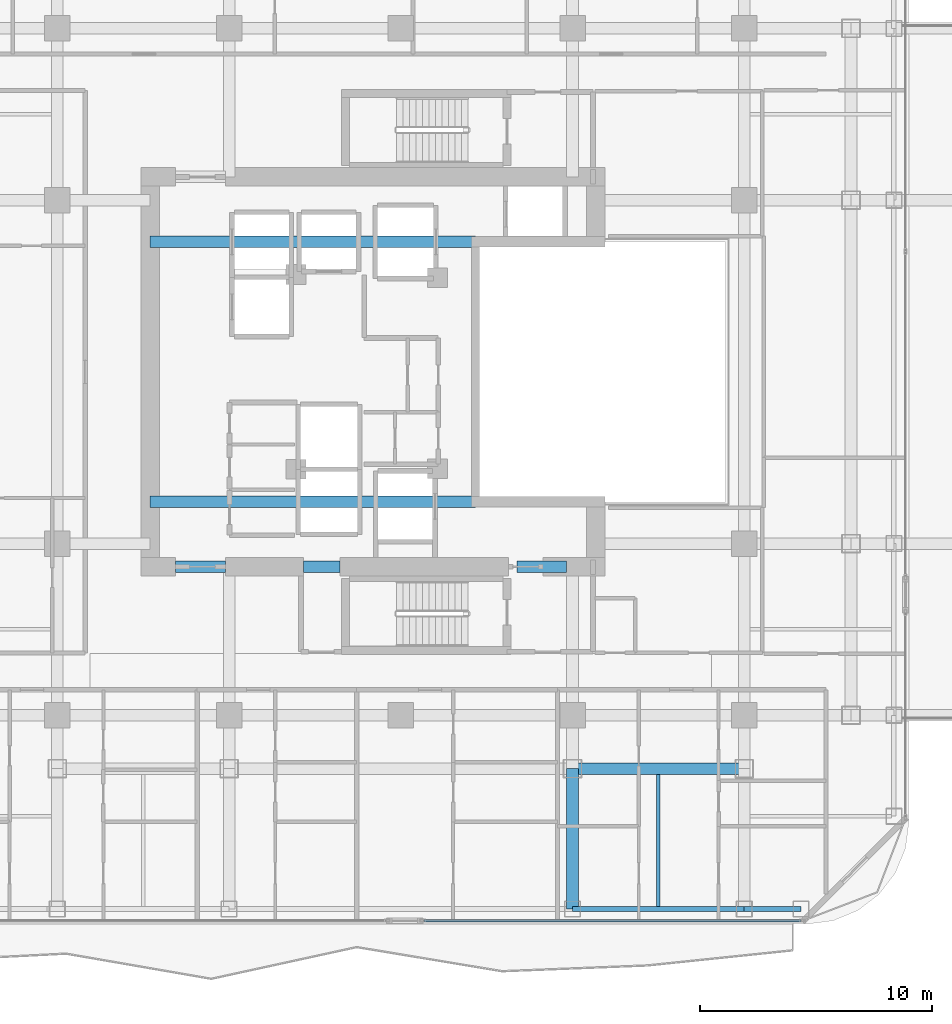
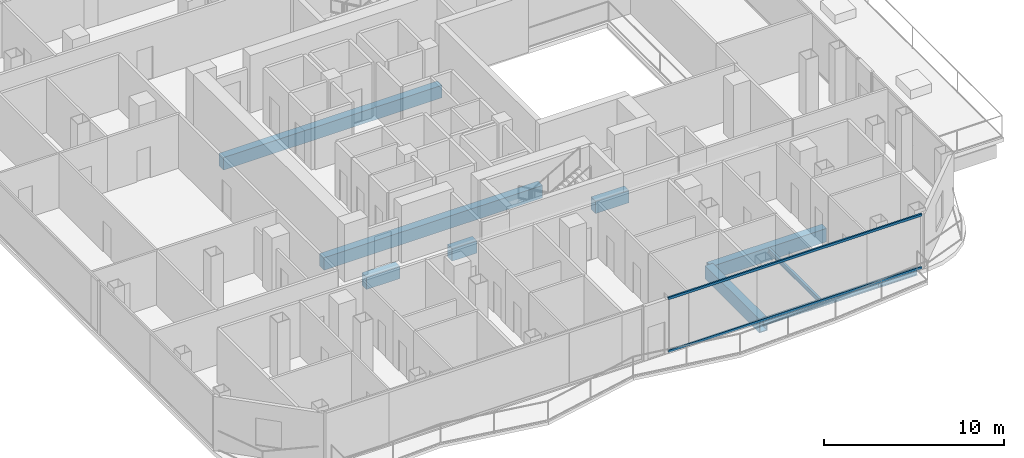
# One storey, part 6 of 27: 10 beams, 2 members, 1 element without a shape of its own.
"""IFC4 building model written with IfcOpenShell, lengths in metres."""

from ifc_helpers import new_model, si_unit, direction, frame, origin, origin_2d, place, context, subcontext, project, spatial, rectangle, hollow_rectangle, i_section, extrude, material, layer, layer_set, material_profile, profile_set, type_object, element, aggregate, save


model = new_model("IFC4")

# Units and contexts
model_context = context("Model", 3, precision=1e-05, world=origin(), true_north=direction((0.0, 1.0)))
body_context = subcontext(model_context, "Body", "Model", "MODEL_VIEW")
ifc_project = project(units=[si_unit("LENGTHUNIT", "METRE"), si_unit("AREAUNIT", "SQUARE_METRE"), si_unit("VOLUMEUNIT", "CUBIC_METRE"), si_unit("PLANEANGLEUNIT", "RADIAN"), si_unit("MASSUNIT", "GRAM", prefix="KILO")], contexts=[model_context])

# Site, building, storey
site_placement = place(None, origin())
site = spatial("IfcSite", under=ifc_project, at=site_placement, CompositionType="ELEMENT")
building_placement = place(site_placement, origin())
building = spatial("IfcBuilding", under=site, at=building_placement, Name="Khorvyn Point Tower", CompositionType="ELEMENT")
storey_placement = place(building_placement, frame((0.0, 0.0, 168.0)))
storey = spatial("IfcBuildingStorey", under=building, at=storey_placement, Name="L41", CompositionType="ELEMENT", Elevation=168.0)

# Curtain wall, members
ifc_material_1 = material(Name="Anodised aluminium 6063-T6 and laminated Low-E glass", Category="aluminium")
ifc_layer = layer(ifc_material_1, 0.18994140625)
ifc_layer_set = layer_set([ifc_layer], Name="Stick-Built Acoustic Curtain Wall CW-SYS-03")
curtain_wall_type = type_object("IfcCurtainWallType", Name="Stick-Built Acoustic Curtain Wall CW-SYS-03", PredefinedType="NOTDEFINED", material=ifc_layer_set)
curtain_wall_placement = place(storey_placement, origin())
curtain_wall = element("IfcCurtainWall", 1, at=curtain_wall_placement, inside=storey, type_object=curtain_wall_type, Name="Curtain Wall", PredefinedType="NOTDEFINED")
ifc_material_2 = material(Name="Anodised aluminium 6063-T6", Category="aluminium")
ifc_material_profile_1 = material_profile(ifc_material_2, hollow_rectangle(XDim=0.10009765625, YDim=0.159912109375, WallThickness=0.00439453125, at=origin_2d()))
ifc_profile_set_1 = profile_set([ifc_material_profile_1], Name="Anodised aluminium 6063-T6 ALU-TRN-100x160")
member_type = type_object("IfcMemberType", Name="Anodised Aluminium 6063-T6 Transom ALU-TRN-100x160", PredefinedType="USERDEFINED", material=ifc_profile_set_1)
member_1_placement = place(storey_placement, frame((17.25, -23.64990234375, 0.050048828125), z_axis=(-1.0, 0.0, 0.0), x_axis=(0.0, -1.0, 0.0)))
member_1 = element("IfcMember", 2, at=member_1_placement, type_object=member_type, Name="Transom", ObjectType="TRANSOM", PredefinedType="USERDEFINED", context=body_context, shape_type="SweptSolid", body=[
    extrude(hollow_rectangle(XDim=0.10009765625, YDim=0.159912109375, WallThickness=0.00439453125, at=origin_2d()), origin(), (0.0, 0.0, 1.0), 16.2529296875),
])
member_2_placement = place(storey_placement, frame((17.25, -23.64990234375, 3.6298828125), z_axis=(-1.0, 0.0, 0.0), x_axis=(0.0, -1.0, 0.0)))
member_2 = element("IfcMember", 3, at=member_2_placement, type_object=member_type, Name="Transom", ObjectType="TRANSOM", PredefinedType="USERDEFINED", context=body_context, shape_type="SweptSolid", body=[
    extrude(hollow_rectangle(XDim=0.10009765625, YDim=0.159912109375, WallThickness=0.00439453125, at=origin_2d()), origin(), (0.0, 0.0, 1.0), 16.2529296875),
])
aggregate(curtain_wall, [member_1, member_2])

# Beams
ifc_material_3 = material(Name="Concrete C45/55", Category="concrete")
ifc_material_profile_2 = material_profile(ifc_material_3, rectangle(XDim=0.5, YDim=0.85009765625, at=origin_2d()))
ifc_profile_set_2 = profile_set([ifc_material_profile_2], Name="Concrete C45/55 RC500x850")
beam_type_1 = type_object("IfcBeamType", Name="Concrete C45/55 Beam RC500x850", PredefinedType="BEAM", material=ifc_profile_set_2)
for number, where, z_axis, x_axis, name in (
    (4, (-10.800048828125, -5.60009765625, -0.705078125), (1.0, 0.0, 0.0), (0.0, 1.0, 0.0), "L41 Core Internal Tie Girder S"),
    (5, (-10.800048828125, 5.60009765625, -0.705078125), (1.0, 0.0, 0.0), (0.0, 1.0, 0.0), "L41 Core Internal Tie Girder N"),
):
    element("IfcBeam", number, at=place(storey_placement, frame(where, z_axis=z_axis, x_axis=x_axis)), inside=storey, type_object=beam_type_1, Name=name, PredefinedType="BEAM", context=body_context, shape_type="SweptSolid", body=[
        extrude(rectangle(XDim=0.5, YDim=0.85009765625, at=origin_2d()), origin(), (0.0, 0.0, 1.0), 14.02001953125),
    ])
beam_1_placement = place(storey_placement, frame((-9.699951171875, -8.39990234375, -0.705078125), z_axis=(1.0, 0.0, 0.0), x_axis=(0.0, 1.0, 0.0)))
element("IfcBeam", 6, at=beam_1_placement, inside=storey, type_object=beam_type_1, Name="L41 Core Southwest Portal Coupling Beam", PredefinedType="BEAM", context=body_context, shape_type="SweptSolid", body=[
    extrude(rectangle(XDim=0.5, YDim=0.85009765625, at=origin_2d()), origin(), (0.0, 0.0, 1.0), 2.14990234375),
])
beam_2_placement = place(storey_placement, frame((-4.199951171875, -8.39990234375, -0.705078125), z_axis=(1.0, 0.0, 0.0), x_axis=(0.0, 1.0, 0.0)))
element("IfcBeam", 7, at=beam_2_placement, inside=storey, type_object=beam_type_1, Name="L41 Core Shuttle Portal Coupling Beam", PredefinedType="BEAM", context=body_context, shape_type="SweptSolid", body=[
    extrude(rectangle(XDim=0.5, YDim=0.85009765625, at=origin_2d()), origin(), (0.0, 0.0, 1.0), 1.579833984375),
])
beam_3_placement = place(storey_placement, frame((5.0, -8.39990234375, -0.705078125), z_axis=(1.0, 0.0, 0.0), x_axis=(0.0, 1.0, 0.0)))
element("IfcBeam", 8, at=beam_3_placement, inside=storey, type_object=beam_type_1, Name="L41 Core Southeast Portal Coupling Beam", PredefinedType="BEAM", context=body_context, shape_type="SweptSolid", body=[
    extrude(rectangle(XDim=0.5, YDim=0.85009765625, at=origin_2d()), origin(), (0.0, 0.0, 1.0), 2.14990234375),
])
ifc_material_4 = material(Name="Steel S355", Category="steel")
ifc_material_profile_3 = material_profile(ifc_material_4, i_section(OverallWidth=0.14990234375, OverallDepth=0.300048828125, WebThickness=0.006591796875, FlangeThickness=0.009033203125, at=origin_2d()))
ifc_profile_set_3 = profile_set([ifc_material_profile_3], Name="Steel S355 H300x150x6.5x9")
beam_type_2 = type_object("IfcBeamType", Name="Steel S355 Joist H300x150x6.5x9", PredefinedType="JOIST", material=ifc_profile_set_3)
beam_4_placement = place(storey_placement, frame((11.10009765625, -23.050048828125, -0.429931640625), z_axis=(0.0, 1.0, 0.0), x_axis=(-1.0, 0.0, 0.0)))
element("IfcBeam", 9, at=beam_4_placement, inside=storey, type_object=beam_type_2, Name="Beam", PredefinedType="JOIST", context=body_context, shape_type="SweptSolid", body=[
    extrude(i_section(OverallWidth=0.14990234375, OverallDepth=0.300048828125, WebThickness=0.006591796875, FlangeThickness=0.009033203125, at=origin_2d()), origin(), (0.0, 0.0, 1.0), 5.699951171875),
])
ifc_material_profile_4 = material_profile(ifc_material_4, i_section(OverallWidth=0.199951171875, OverallDepth=0.449951171875, WebThickness=0.009033203125, FlangeThickness=0.013916015625, at=origin_2d()))
ifc_profile_set_4 = profile_set([ifc_material_profile_4], Name="Steel S355 H450x200x9x14")
beam_type_3 = type_object("IfcBeamType", Name="Steel S355 Spandrel H450x200x9x14", PredefinedType="SPANDREL", material=ifc_profile_set_4)
beam_5_placement = place(storey_placement, frame((7.39990234375, -23.14990234375, -0.5048828125), z_axis=(1.0, 0.0, 0.0), x_axis=(0.0, 1.0, 0.0)))
element("IfcBeam", 10, at=beam_5_placement, inside=storey, type_object=beam_type_3, Name="Beam", PredefinedType="SPANDREL", context=body_context, shape_type="SweptSolid", body=[
    extrude(i_section(OverallWidth=0.199951171875, OverallDepth=0.449951171875, WebThickness=0.009033203125, FlangeThickness=0.013916015625, at=origin_2d()), origin(), (0.0, 0.0, 1.0), 7.400146484375),
])
beam_6_placement = place(storey_placement, frame((14.800048828125, -23.14990234375, -0.5048828125), z_axis=(1.0, 0.0, 0.0), x_axis=(0.0, 1.0, 0.0)))
element("IfcBeam", 11, at=beam_6_placement, inside=storey, type_object=beam_type_3, Name="Beam", PredefinedType="SPANDREL", context=body_context, shape_type="SweptSolid", body=[
    extrude(i_section(OverallWidth=0.199951171875, OverallDepth=0.449951171875, WebThickness=0.009033203125, FlangeThickness=0.013916015625, at=origin_2d()), origin(), (0.0, 0.0, 1.0), 2.449951171875),
])
ifc_material_5 = material(Name="Steel S450", Category="steel")
ifc_material_profile_5 = material_profile(ifc_material_5, hollow_rectangle(XDim=0.5, YDim=0.89990234375, WallThickness=0.0400390625, at=origin_2d()))
ifc_profile_set_5 = profile_set([ifc_material_profile_5], Name="Steel S450 BOX900x500x40")
beam_type_4 = type_object("IfcBeamType", Name="Steel S450 Beam BOX900x500x40", PredefinedType="BEAM", material=ifc_profile_set_5)
beam_7_placement = place(storey_placement, frame((7.39990234375, -17.10009765625, -0.72998046875), z_axis=(1.0, 0.0, 0.0), x_axis=(0.0, 1.0, 0.0)))
element("IfcBeam", 12, at=beam_7_placement, inside=storey, type_object=beam_type_4, Name="Beam", PredefinedType="BEAM", context=body_context, shape_type="SweptSolid", body=[
    extrude(hollow_rectangle(XDim=0.5, YDim=0.89990234375, WallThickness=0.0400390625, at=origin_2d()), origin(), (0.0, 0.0, 1.0), 7.400146484375),
])
beam_8_placement = place(storey_placement, frame((7.39990234375, -23.14990234375, -0.72998046875), z_axis=(0.0, 1.0, 0.0), x_axis=(-1.0, 0.0, 0.0)))
element("IfcBeam", 13, at=beam_8_placement, inside=storey, type_object=beam_type_4, Name="Beam", PredefinedType="BEAM", context=body_context, shape_type="SweptSolid", body=[
    extrude(hollow_rectangle(XDim=0.5, YDim=0.89990234375, WallThickness=0.0400390625, at=origin_2d()), origin(), (0.0, 0.0, 1.0), 6.0498046875),
])

save(model, "model.ifc")
